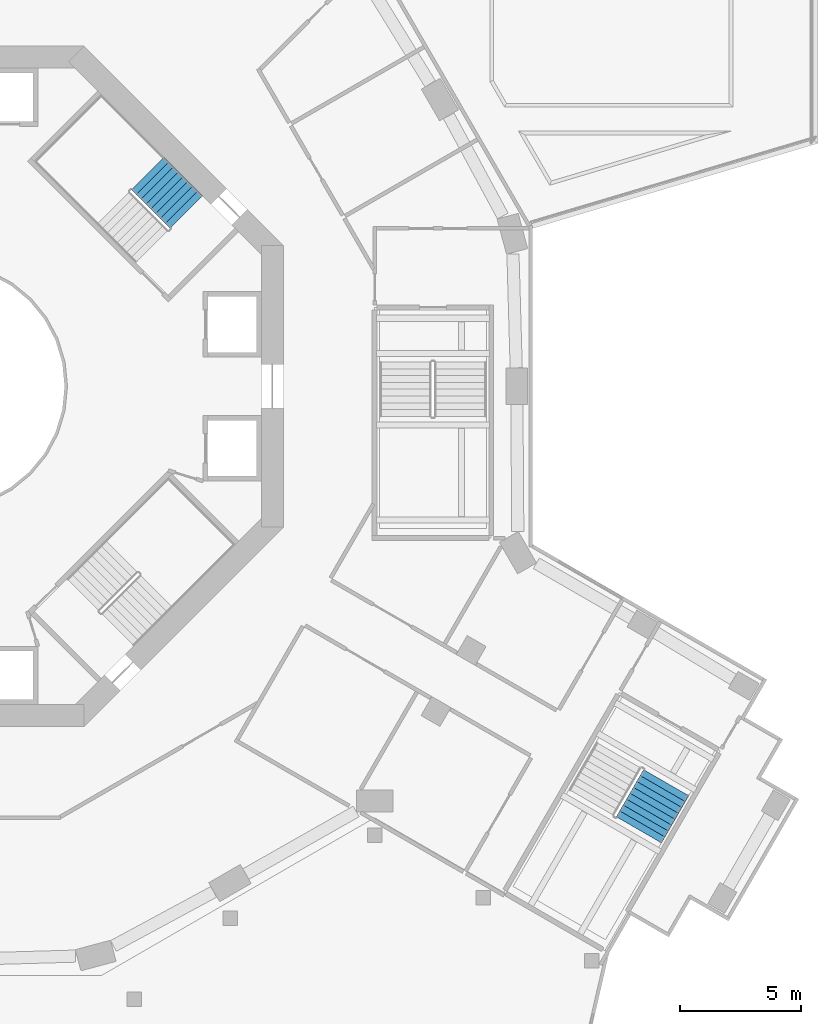
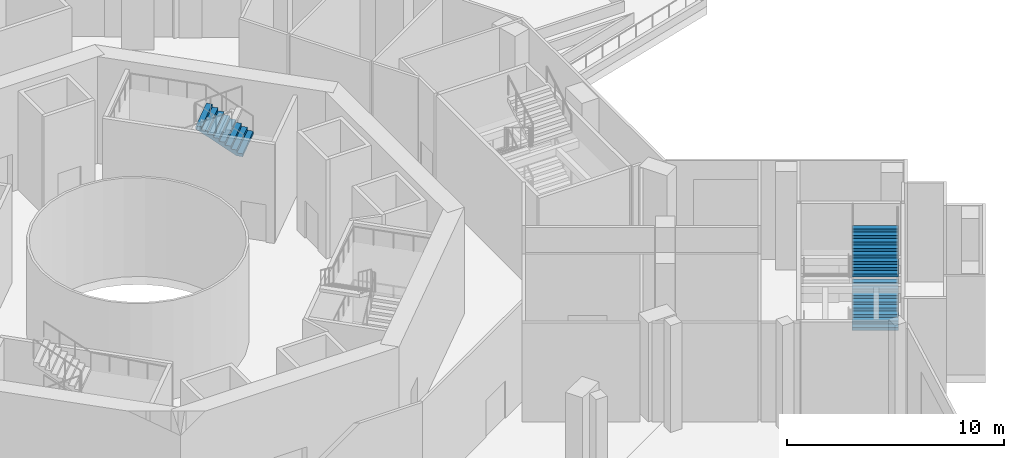
# One storey, part 18 of 29: 3 stair flights, 2 elements without a shape of their own.
"""IFC4 building model written with IfcOpenShell, lengths in metres."""

from ifc_helpers import new_model, si_unit, direction, frame, origin, place, context, subcontext, project, spatial, triangles, material, type_object, element, aggregate, save


model = new_model("IFC4")

# Units and contexts
model_context = context("Model", 3, precision=1e-05, world=origin(), true_north=direction((0.0, 1.0)))
body_context = subcontext(model_context, "Body", "Model", "MODEL_VIEW")
ifc_project = project(units=[si_unit("LENGTHUNIT", "METRE"), si_unit("AREAUNIT", "SQUARE_METRE"), si_unit("VOLUMEUNIT", "CUBIC_METRE"), si_unit("PLANEANGLEUNIT", "RADIAN"), si_unit("MASSUNIT", "GRAM", prefix="KILO")], contexts=[model_context])

# Site, building, storey
site_placement = place(None, origin())
site = spatial("IfcSite", under=ifc_project, at=site_placement, CompositionType="ELEMENT")
building_placement = place(site_placement, origin())
building = spatial("IfcBuilding", under=site, at=building_placement, Name="Verdalira Terraces Hotel", CompositionType="ELEMENT")
storey_placement = place(building_placement, frame((0.0, 0.0, 8.0)))
storey = spatial("IfcBuildingStorey", under=building, at=storey_placement, Name="L01", CompositionType="ELEMENT", Elevation=8.0)

# Stair, stair flight
ifc_material_1 = material(Name="Concrete C40", Category="concrete")
stair_type_1 = type_object("IfcStairType", Name="Core stair 36 risers 1900 mm wide", PredefinedType="HALF_TURN_STAIR", material=ifc_material_1)
stair_1_placement = place(storey_placement, origin())
stair_1 = element("IfcStair", 1, at=stair_1_placement, inside=storey, type_object=stair_type_1, Name="L01 Exit stair ST1", PredefinedType="HALF_TURN_STAIR")
ifc_material_2 = material(Name="Concrete C40", Category="concrete")
stair_flight_type_1 = type_object("IfcStairFlightType", Name="Core stair flight 36 risers 1900 mm wide", PredefinedType="STRAIGHT", material=ifc_material_2)
stair_flight_1_placement = place(storey_placement, frame((10.005615, 7.177246, 3.0), z_axis=(0.0, 0.0, 1.0), x_axis=(-0.707106781, 0.707106781, 0.0)))
stair_flight_1 = element("IfcStairFlight", 2, at=stair_flight_1_placement, type_object=stair_flight_type_1, Name="ST1 flight 3", NumberOfRisers=9, NumberOfTreads=8, PredefinedType="STRAIGHT", RiserHeight=0.166666667, TreadLength=0.28, context=body_context, shape_type="Tessellation", body=[
    triangles([(0.0, 0.949951, 0.0), (0.292969, 0.949951, 0.0), (2.23999, 0.949951, 1.158936), (0.0, -0.949951, 0.0), (0.292969, -0.949951, 0.0), (2.23999, -0.949951, 1.158936), (2.23999, 0.949951, 1.333252), (1.959961, 0.949951, 1.333252), (2.23999, -0.949951, 1.333252), (1.959961, -0.949951, 1.333252), (1.959961, 0.949951, 1.166748), (1.959961, -0.949951, 1.166748), (1.679932, 0.949951, 1.166748), (1.679932, -0.949951, 1.166748), (1.679932, 0.949951, 1.0), (1.679932, -0.949951, 1.0), (1.399902, 0.949951, 1.0), (1.399902, 0.949951, 0.833252), (1.399902, -0.949951, 1.0), (1.399902, -0.949951, 0.833252), (1.120117, 0.949951, 0.833252), (1.120117, 0.949951, 0.666748), (1.120117, -0.949951, 0.833252), (1.120117, -0.949951, 0.666748), (0.840088, 0.949951, 0.666748), (0.840088, 0.949951, 0.5), (0.840088, -0.949951, 0.666748), (0.840088, -0.949951, 0.5), (0.560059, 0.949951, 0.5), (0.560059, 0.949951, 0.333252), (0.560059, -0.949951, 0.5), (0.560059, -0.949951, 0.333252), (0.280029, 0.949951, 0.333252), (0.280029, 0.949951, 0.166748), (0.280029, -0.949951, 0.333252), (0.280029, -0.949951, 0.166748), (0.0, 0.949951, 0.166748), (0.0, -0.949951, 0.166748), (0.0, -0.890579, 0.0), (0.0, -0.890579, 0.166748), (0.0, -0.831207, 0.0), (0.0, -0.831207, 0.166748), (0.0, -0.771835, 0.0), (0.0, -0.771835, 0.166748), (0.0, -0.712463, 0.0), (0.0, -0.712463, 0.166748), (0.0, -0.653091, 0.0), (0.0, -0.653091, 0.166748), (0.0, -0.593719, 0.0), (0.0, -0.593719, 0.166748), (0.0, -0.534348, 0.0), (0.0, -0.534348, 0.166748), (0.0, -0.474976, 0.0), (0.0, -0.474976, 0.166748), (0.0, -0.415604, 0.0), (0.0, -0.415604, 0.166748), (0.0, -0.356232, 0.0), (0.0, -0.356232, 0.166748), (0.0, -0.29686, 0.0), (0.0, -0.29686, 0.166748), (0.0, -0.237488, 0.0), (0.0, -0.237488, 0.166748), (0.0, -0.178116, 0.0), (0.0, -0.178116, 0.166748), (0.0, -0.118744, 0.0), (0.0, -0.118744, 0.166748), (0.0, -0.059372, 0.0), (0.0, -0.059372, 0.166748), (0.0, 0.0, 0.0), (0.0, 0.0, 0.166748), (0.0, 0.059372, 0.0), (0.0, 0.059372, 0.166748), (0.0, 0.118744, 0.0), (0.0, 0.118744, 0.166748), (0.0, 0.178116, 0.0), (0.0, 0.178116, 0.166748), (0.0, 0.237488, 0.0), (0.0, 0.237488, 0.166748), (0.0, 0.29686, 0.0), (0.0, 0.29686, 0.166748), (0.0, 0.356232, 0.0), (0.0, 0.356232, 0.166748), (0.0, 0.415604, 0.0), (0.0, 0.415604, 0.166748), (0.0, 0.474976, 0.0), (0.0, 0.474976, 0.166748), (0.0, 0.534348, 0.0), (0.0, 0.534348, 0.166748), (0.0, 0.593719, 0.0), (0.0, 0.593719, 0.166748), (0.0, 0.653091, 0.0), (0.0, 0.653091, 0.166748), (0.0, 0.712463, 0.0), (0.0, 0.712463, 0.166748), (0.0, 0.771835, 0.0), (0.0, 0.771835, 0.166748), (0.0, 0.831207, 0.0), (0.0, 0.831207, 0.166748), (0.0, 0.890579, 0.0), (0.0, 0.890579, 0.166748), (2.23999, -0.890579, 1.333252), (2.23999, -0.831207, 1.333252), (2.23999, -0.771835, 1.333252), (2.23999, -0.712463, 1.333252), (2.23999, -0.653091, 1.333252), (2.23999, -0.593719, 1.333252), (2.23999, -0.534348, 1.333252), (2.23999, -0.474976, 1.333252), (2.23999, -0.415604, 1.333252), (2.23999, -0.356232, 1.333252), (2.23999, -0.29686, 1.333252), (2.23999, -0.237488, 1.333252), (2.23999, -0.178116, 1.333252), (2.23999, -0.118744, 1.333252), (2.23999, -0.059372, 1.333252), (2.23999, 0.0, 1.333252), (2.23999, 0.059372, 1.333252), (2.23999, 0.118744, 1.333252), (2.23999, 0.178116, 1.333252), (2.23999, 0.237488, 1.333252), (2.23999, 0.29686, 1.333252), (2.23999, 0.356232, 1.333252), (2.23999, 0.415604, 1.333252), (2.23999, 0.474976, 1.333252), (2.23999, 0.534348, 1.333252), (2.23999, 0.593719, 1.333252), (2.23999, 0.653091, 1.333252), (2.23999, 0.712463, 1.333252), (2.23999, 0.771835, 1.333252), (2.23999, 0.831207, 1.333252), (2.23999, 0.890579, 1.333252), (2.23999, -0.890579, 1.158936), (2.23999, -0.831207, 1.158936), (2.23999, -0.771835, 1.158936), (2.23999, -0.712463, 1.158936), (2.23999, -0.653091, 1.158936), (2.23999, -0.593719, 1.158936), (2.23999, -0.534348, 1.158936), (2.23999, -0.474976, 1.158936), (2.23999, -0.415604, 1.158936), (2.23999, -0.356232, 1.158936), (2.23999, -0.29686, 1.158936), (2.23999, -0.237488, 1.158936), (2.23999, -0.178116, 1.158936), (2.23999, -0.118744, 1.158936), (2.23999, -0.059372, 1.158936), (2.23999, 0.0, 1.158936), (2.23999, 0.059372, 1.158936), (2.23999, 0.118744, 1.158936), (2.23999, 0.178116, 1.158936), (2.23999, 0.237488, 1.158936), (2.23999, 0.29686, 1.158936), (2.23999, 0.356232, 1.158936), (2.23999, 0.415604, 1.158936), (2.23999, 0.474976, 1.158936), (2.23999, 0.534348, 1.158936), (2.23999, 0.593719, 1.158936), (2.23999, 0.653091, 1.158936), (2.23999, 0.712463, 1.158936), (2.23999, 0.771835, 1.158936), (2.23999, 0.831207, 1.158936), (2.23999, 0.890579, 1.158936)], [[1, 3, 2], [4, 5, 6], [3, 8, 7], [6, 9, 10], [3, 11, 8], [6, 10, 12], [3, 13, 11], [6, 12, 14], [3, 15, 13], [6, 14, 16], [15, 18, 17], [16, 19, 20], [3, 18, 15], [6, 16, 20], [18, 22, 21], [20, 23, 24], [3, 22, 18], [6, 20, 24], [22, 26, 25], [24, 27, 28], [3, 26, 22], [6, 24, 28], [26, 30, 29], [28, 31, 32], [3, 30, 26], [6, 28, 32], [1, 30, 3], [4, 6, 32], [30, 34, 33], [32, 35, 36], [1, 34, 30], [4, 32, 36], [34, 1, 37], [36, 38, 4], [4, 40, 39], [4, 38, 40], [39, 42, 41], [39, 40, 42], [41, 44, 43], [41, 42, 44], [43, 46, 45], [43, 44, 46], [45, 48, 47], [45, 46, 48], [47, 50, 49], [47, 48, 50], [49, 52, 51], [49, 50, 52], [51, 54, 53], [51, 52, 54], [53, 56, 55], [53, 54, 56], [55, 58, 57], [55, 56, 58], [57, 60, 59], [57, 58, 60], [59, 62, 61], [59, 60, 62], [61, 64, 63], [61, 62, 64], [63, 66, 65], [63, 64, 66], [65, 68, 67], [65, 66, 68], [67, 70, 69], [67, 68, 70], [69, 72, 71], [69, 70, 72], [71, 74, 73], [71, 72, 74], [73, 76, 75], [73, 74, 76], [75, 78, 77], [75, 76, 78], [77, 80, 79], [77, 78, 80], [79, 82, 81], [79, 80, 82], [81, 84, 83], [81, 82, 84], [83, 86, 85], [83, 84, 86], [85, 88, 87], [85, 86, 88], [87, 90, 89], [87, 88, 90], [89, 92, 91], [89, 90, 92], [91, 94, 93], [91, 92, 94], [93, 96, 95], [93, 94, 96], [95, 98, 97], [95, 96, 98], [97, 100, 99], [97, 98, 100], [99, 37, 1], [99, 100, 37], [38, 36, 40], [40, 36, 42], [42, 36, 44], [44, 36, 46], [46, 36, 48], [48, 36, 50], [50, 36, 52], [52, 36, 54], [54, 36, 56], [56, 36, 58], [58, 36, 60], [60, 36, 62], [62, 36, 64], [64, 36, 66], [66, 36, 68], [68, 36, 70], [70, 36, 72], [72, 36, 74], [74, 36, 76], [76, 36, 78], [78, 36, 80], [80, 36, 82], [82, 36, 84], [84, 36, 86], [86, 36, 88], [88, 36, 90], [90, 36, 92], [92, 36, 94], [94, 36, 96], [96, 36, 98], [98, 36, 100], [100, 36, 37], [37, 36, 34], [36, 33, 34], [36, 35, 33], [35, 30, 33], [35, 32, 30], [32, 29, 30], [32, 31, 29], [31, 26, 29], [31, 28, 26], [28, 25, 26], [28, 27, 25], [27, 22, 25], [27, 24, 22], [24, 21, 22], [24, 23, 21], [23, 18, 21], [23, 20, 18], [20, 17, 18], [20, 19, 17], [19, 15, 17], [19, 16, 15], [16, 13, 15], [16, 14, 13], [14, 11, 13], [14, 12, 11], [12, 8, 11], [12, 10, 8], [9, 101, 10], [101, 102, 10], [102, 103, 10], [103, 104, 10], [104, 105, 10], [105, 106, 10], [106, 107, 10], [107, 108, 10], [108, 109, 10], [109, 110, 10], [110, 111, 10], [111, 112, 10], [112, 113, 10], [113, 114, 10], [114, 115, 10], [115, 116, 10], [116, 117, 10], [117, 118, 10], [118, 119, 10], [119, 120, 10], [120, 121, 10], [121, 122, 10], [122, 123, 10], [123, 124, 10], [124, 125, 10], [125, 126, 10], [126, 127, 10], [127, 128, 10], [128, 129, 10], [129, 130, 10], [130, 131, 10], [131, 7, 10], [7, 8, 10], [9, 132, 101], [9, 6, 132], [101, 133, 102], [101, 132, 133], [102, 134, 103], [102, 133, 134], [103, 135, 104], [103, 134, 135], [104, 136, 105], [104, 135, 136], [105, 137, 106], [105, 136, 137], [106, 138, 107], [106, 137, 138], [107, 139, 108], [107, 138, 139], [108, 140, 109], [108, 139, 140], [109, 141, 110], [109, 140, 141], [110, 142, 111], [110, 141, 142], [111, 143, 112], [111, 142, 143], [112, 144, 113], [112, 143, 144], [113, 145, 114], [113, 144, 145], [114, 146, 115], [114, 145, 146], [115, 147, 116], [115, 146, 147], [116, 148, 117], [116, 147, 148], [117, 149, 118], [117, 148, 149], [118, 150, 119], [118, 149, 150], [119, 151, 120], [119, 150, 151], [120, 152, 121], [120, 151, 152], [121, 153, 122], [121, 152, 153], [122, 154, 123], [122, 153, 154], [123, 155, 124], [123, 154, 155], [124, 156, 125], [124, 155, 156], [125, 157, 126], [125, 156, 157], [126, 158, 127], [126, 157, 158], [127, 159, 128], [127, 158, 159], [128, 160, 129], [128, 159, 160], [129, 161, 130], [129, 160, 161], [130, 162, 131], [130, 161, 162], [131, 3, 7], [131, 162, 3], [6, 5, 132], [132, 5, 133], [133, 5, 134], [134, 5, 135], [135, 5, 136], [136, 5, 137], [137, 5, 138], [138, 5, 139], [139, 5, 140], [140, 5, 141], [141, 5, 142], [142, 5, 143], [143, 5, 144], [144, 5, 145], [145, 5, 146], [146, 5, 147], [147, 5, 148], [148, 5, 149], [149, 5, 150], [150, 5, 151], [151, 5, 152], [152, 5, 153], [153, 5, 154], [154, 5, 155], [155, 5, 156], [156, 5, 157], [157, 5, 158], [158, 5, 159], [159, 5, 160], [160, 5, 161], [161, 5, 162], [162, 5, 3], [3, 5, 2], [4, 39, 5], [39, 41, 5], [41, 43, 5], [43, 45, 5], [45, 47, 5], [47, 49, 5], [49, 51, 5], [51, 53, 5], [53, 55, 5], [55, 57, 5], [57, 59, 5], [59, 61, 5], [61, 63, 5], [63, 65, 5], [65, 67, 5], [67, 69, 5], [69, 71, 5], [71, 73, 5], [73, 75, 5], [75, 77, 5], [77, 79, 5], [79, 81, 5], [81, 83, 5], [83, 85, 5], [85, 87, 5], [87, 89, 5], [89, 91, 5], [91, 93, 5], [93, 95, 5], [95, 97, 5], [97, 99, 5], [99, 1, 5], [1, 2, 5]], closed=True),
])
aggregate(stair_1, [stair_flight_1])

# Stair, stair flights
ifc_material_3 = material(Name="Concrete C40", Category="concrete")
stair_type_2 = type_object("IfcStairType", Name="Podium stair 36 risers", PredefinedType="HALF_TURN_STAIR", material=ifc_material_3)
stair_2_placement = place(storey_placement, origin())
stair_2 = element("IfcStair", 3, at=stair_2_placement, inside=storey, type_object=stair_type_2, Name="L01 Exit stair PS3", PredefinedType="HALF_TURN_STAIR")
ifc_material_4 = material(Name="Concrete C40", Category="concrete")
stair_flight_type_2 = type_object("IfcStairFlightType", Name="Podium stair flight 36 risers", PredefinedType="STRAIGHT", material=ifc_material_4)
stair_flight_2_placement = place(storey_placement, frame((28.63501, -18.25293, 1.5), z_axis=(0.0, 0.0, 1.0), x_axis=(0.5, 0.866025404, 0.0)))
stair_flight_2 = element("IfcStairFlight", 4, at=stair_flight_2_placement, type_object=stair_flight_type_2, Name="PS3 flight 2", NumberOfRisers=9, NumberOfTreads=8, PredefinedType="STRAIGHT", RiserHeight=0.166666667, TreadLength=0.28, context=body_context, shape_type="Tessellation", body=[
    triangles([(0.0, 1.074951, 0.0), (0.292969, 1.074951, 0.0), (2.23999, 1.074951, 1.158936), (0.0, -1.074951, 0.0), (0.292969, -1.074951, 0.0), (2.23999, -1.074951, 1.158936), (2.23999, 1.074951, 1.333252), (1.959961, 1.074951, 1.333252), (2.23999, -1.074951, 1.333252), (1.959961, -1.074951, 1.333252), (1.959961, 1.074951, 1.166748), (1.959961, -1.074951, 1.166748), (1.679932, 1.074951, 1.166748), (1.679932, -1.074951, 1.166748), (1.679932, 1.074951, 1.0), (1.679932, -1.074951, 1.0), (1.399902, 1.074951, 1.0), (1.399902, 1.074951, 0.833252), (1.399902, -1.074951, 1.0), (1.399902, -1.074951, 0.833252), (1.120117, 1.074951, 0.833252), (1.120117, 1.074951, 0.666748), (1.120117, -1.074951, 0.833252), (1.120117, -1.074951, 0.666748), (0.840088, 1.074951, 0.666748), (0.840088, 1.074951, 0.5), (0.840088, -1.074951, 0.666748), (0.840088, -1.074951, 0.5), (0.560059, 1.074951, 0.5), (0.560059, 1.074951, 0.333252), (0.560059, -1.074951, 0.5), (0.560059, -1.074951, 0.333252), (0.280029, 1.074951, 0.333252), (0.280029, 1.074951, 0.166748), (0.280029, -1.074951, 0.333252), (0.280029, -1.074951, 0.166748), (0.0, 1.074951, 0.166748), (0.0, -1.074951, 0.166748), (0.0, -1.007767, 0.0), (0.0, -1.007767, 0.166748), (0.0, -0.940582, 0.0), (0.0, -0.940582, 0.166748), (0.0, -0.873398, 0.0), (0.0, -0.873398, 0.166748), (0.0, -0.806213, 0.0), (0.0, -0.806213, 0.166748), (0.0, -0.739029, 0.0), (0.0, -0.739029, 0.166748), (0.0, -0.671844, 0.0), (0.0, -0.671844, 0.166748), (0.0, -0.60466, 0.0), (0.0, -0.60466, 0.166748), (0.0, -0.537476, 0.0), (0.0, -0.537476, 0.166748), (0.0, -0.470291, 0.0), (0.0, -0.470291, 0.166748), (0.0, -0.403107, 0.0), (0.0, -0.403107, 0.166748), (0.0, -0.335922, 0.0), (0.0, -0.335922, 0.166748), (0.0, -0.268738, 0.0), (0.0, -0.268738, 0.166748), (0.0, -0.201553, 0.0), (0.0, -0.201553, 0.166748), (0.0, -0.134369, 0.0), (0.0, -0.134369, 0.166748), (0.0, -0.067184, 0.0), (0.0, -0.067184, 0.166748), (0.0, 0.0, 0.0), (0.0, 0.0, 0.166748), (0.0, 0.067184, 0.0), (0.0, 0.067184, 0.166748), (0.0, 0.134369, 0.0), (0.0, 0.134369, 0.166748), (0.0, 0.201553, 0.0), (0.0, 0.201553, 0.166748), (0.0, 0.268738, 0.0), (0.0, 0.268738, 0.166748), (0.0, 0.335922, 0.0), (0.0, 0.335922, 0.166748), (0.0, 0.403107, 0.0), (0.0, 0.403107, 0.166748), (0.0, 0.470291, 0.0), (0.0, 0.470291, 0.166748), (0.0, 0.537476, 0.0), (0.0, 0.537476, 0.166748), (0.0, 0.60466, 0.0), (0.0, 0.60466, 0.166748), (0.0, 0.671844, 0.0), (0.0, 0.671844, 0.166748), (0.0, 0.739029, 0.0), (0.0, 0.739029, 0.166748), (0.0, 0.806213, 0.0), (0.0, 0.806213, 0.166748), (0.0, 0.873398, 0.0), (0.0, 0.873398, 0.166748), (0.0, 0.940582, 0.0), (0.0, 0.940582, 0.166748), (0.0, 1.007767, 0.0), (0.0, 1.007767, 0.166748), (2.23999, -1.007767, 1.333252), (2.23999, -0.940582, 1.333252), (2.23999, -0.873398, 1.333252), (2.23999, -0.806213, 1.333252), (2.23999, -0.739029, 1.333252), (2.23999, -0.671844, 1.333252), (2.23999, -0.60466, 1.333252), (2.23999, -0.537476, 1.333252), (2.23999, -0.470291, 1.333252), (2.23999, -0.403107, 1.333252), (2.23999, -0.335922, 1.333252), (2.23999, -0.268738, 1.333252), (2.23999, -0.201553, 1.333252), (2.23999, -0.134369, 1.333252), (2.23999, -0.067184, 1.333252), (2.23999, 0.0, 1.333252), (2.23999, 0.067184, 1.333252), (2.23999, 0.134369, 1.333252), (2.23999, 0.201553, 1.333252), (2.23999, 0.268738, 1.333252), (2.23999, 0.335922, 1.333252), (2.23999, 0.403107, 1.333252), (2.23999, 0.470291, 1.333252), (2.23999, 0.537476, 1.333252), (2.23999, 0.60466, 1.333252), (2.23999, 0.671844, 1.333252), (2.23999, 0.739029, 1.333252), (2.23999, 0.806213, 1.333252), (2.23999, 0.873398, 1.333252), (2.23999, 0.940582, 1.333252), (2.23999, 1.007767, 1.333252), (2.23999, -1.007767, 1.158936), (2.23999, -0.940582, 1.158936), (2.23999, -0.873398, 1.158936), (2.23999, -0.806213, 1.158936), (2.23999, -0.739029, 1.158936), (2.23999, -0.671844, 1.158936), (2.23999, -0.60466, 1.158936), (2.23999, -0.537476, 1.158936), (2.23999, -0.470291, 1.158936), (2.23999, -0.403107, 1.158936), (2.23999, -0.335922, 1.158936), (2.23999, -0.268738, 1.158936), (2.23999, -0.201553, 1.158936), (2.23999, -0.134369, 1.158936), (2.23999, -0.067184, 1.158936), (2.23999, 0.0, 1.158936), (2.23999, 0.067184, 1.158936), (2.23999, 0.134369, 1.158936), (2.23999, 0.201553, 1.158936), (2.23999, 0.268738, 1.158936), (2.23999, 0.335922, 1.158936), (2.23999, 0.403107, 1.158936), (2.23999, 0.470291, 1.158936), (2.23999, 0.537476, 1.158936), (2.23999, 0.60466, 1.158936), (2.23999, 0.671844, 1.158936), (2.23999, 0.739029, 1.158936), (2.23999, 0.806213, 1.158936), (2.23999, 0.873398, 1.158936), (2.23999, 0.940582, 1.158936), (2.23999, 1.007767, 1.158936)], [[1, 3, 2], [4, 5, 6], [3, 8, 7], [6, 9, 10], [3, 11, 8], [6, 10, 12], [3, 13, 11], [6, 12, 14], [3, 15, 13], [6, 14, 16], [15, 18, 17], [16, 19, 20], [3, 18, 15], [6, 16, 20], [18, 22, 21], [20, 23, 24], [3, 22, 18], [6, 20, 24], [22, 26, 25], [24, 27, 28], [3, 26, 22], [6, 24, 28], [26, 30, 29], [28, 31, 32], [3, 30, 26], [6, 28, 32], [1, 30, 3], [4, 6, 32], [30, 34, 33], [32, 35, 36], [1, 34, 30], [4, 32, 36], [34, 1, 37], [36, 38, 4], [4, 40, 39], [4, 38, 40], [39, 42, 41], [39, 40, 42], [41, 44, 43], [41, 42, 44], [43, 46, 45], [43, 44, 46], [45, 48, 47], [45, 46, 48], [47, 50, 49], [47, 48, 50], [49, 52, 51], [49, 50, 52], [51, 54, 53], [51, 52, 54], [53, 56, 55], [53, 54, 56], [55, 58, 57], [55, 56, 58], [57, 60, 59], [57, 58, 60], [59, 62, 61], [59, 60, 62], [61, 64, 63], [61, 62, 64], [63, 66, 65], [63, 64, 66], [65, 68, 67], [65, 66, 68], [67, 70, 69], [67, 68, 70], [69, 72, 71], [69, 70, 72], [71, 74, 73], [71, 72, 74], [73, 76, 75], [73, 74, 76], [75, 78, 77], [75, 76, 78], [77, 80, 79], [77, 78, 80], [79, 82, 81], [79, 80, 82], [81, 84, 83], [81, 82, 84], [83, 86, 85], [83, 84, 86], [85, 88, 87], [85, 86, 88], [87, 90, 89], [87, 88, 90], [89, 92, 91], [89, 90, 92], [91, 94, 93], [91, 92, 94], [93, 96, 95], [93, 94, 96], [95, 98, 97], [95, 96, 98], [97, 100, 99], [97, 98, 100], [99, 37, 1], [99, 100, 37], [38, 36, 40], [40, 36, 42], [42, 36, 44], [44, 36, 46], [46, 36, 48], [48, 36, 50], [50, 36, 52], [52, 36, 54], [54, 36, 56], [56, 36, 58], [58, 36, 60], [60, 36, 62], [62, 36, 64], [64, 36, 66], [66, 36, 68], [68, 36, 70], [70, 36, 72], [72, 36, 74], [74, 36, 76], [76, 36, 78], [78, 36, 80], [80, 36, 82], [82, 36, 84], [84, 36, 86], [86, 36, 88], [88, 36, 90], [90, 36, 92], [92, 36, 94], [94, 36, 96], [96, 36, 98], [98, 36, 100], [100, 36, 37], [37, 36, 34], [36, 33, 34], [36, 35, 33], [35, 30, 33], [35, 32, 30], [32, 29, 30], [32, 31, 29], [31, 26, 29], [31, 28, 26], [28, 25, 26], [28, 27, 25], [27, 22, 25], [27, 24, 22], [24, 21, 22], [24, 23, 21], [23, 18, 21], [23, 20, 18], [20, 17, 18], [20, 19, 17], [19, 15, 17], [19, 16, 15], [16, 13, 15], [16, 14, 13], [14, 11, 13], [14, 12, 11], [12, 8, 11], [12, 10, 8], [9, 101, 10], [101, 102, 10], [102, 103, 10], [103, 104, 10], [104, 105, 10], [105, 106, 10], [106, 107, 10], [107, 108, 10], [108, 109, 10], [109, 110, 10], [110, 111, 10], [111, 112, 10], [112, 113, 10], [113, 114, 10], [114, 115, 10], [115, 116, 10], [116, 117, 10], [117, 118, 10], [118, 119, 10], [119, 120, 10], [120, 121, 10], [121, 122, 10], [122, 123, 10], [123, 124, 10], [124, 125, 10], [125, 126, 10], [126, 127, 10], [127, 128, 10], [128, 129, 10], [129, 130, 10], [130, 131, 10], [131, 7, 10], [7, 8, 10], [9, 132, 101], [9, 6, 132], [101, 133, 102], [101, 132, 133], [102, 134, 103], [102, 133, 134], [103, 135, 104], [103, 134, 135], [104, 136, 105], [104, 135, 136], [105, 137, 106], [105, 136, 137], [106, 138, 107], [106, 137, 138], [107, 139, 108], [107, 138, 139], [108, 140, 109], [108, 139, 140], [109, 141, 110], [109, 140, 141], [110, 142, 111], [110, 141, 142], [111, 143, 112], [111, 142, 143], [112, 144, 113], [112, 143, 144], [113, 145, 114], [113, 144, 145], [114, 146, 115], [114, 145, 146], [115, 147, 116], [115, 146, 147], [116, 148, 117], [116, 147, 148], [117, 149, 118], [117, 148, 149], [118, 150, 119], [118, 149, 150], [119, 151, 120], [119, 150, 151], [120, 152, 121], [120, 151, 152], [121, 153, 122], [121, 152, 153], [122, 154, 123], [122, 153, 154], [123, 155, 124], [123, 154, 155], [124, 156, 125], [124, 155, 156], [125, 157, 126], [125, 156, 157], [126, 158, 127], [126, 157, 158], [127, 159, 128], [127, 158, 159], [128, 160, 129], [128, 159, 160], [129, 161, 130], [129, 160, 161], [130, 162, 131], [130, 161, 162], [131, 3, 7], [131, 162, 3], [6, 5, 132], [132, 5, 133], [133, 5, 134], [134, 5, 135], [135, 5, 136], [136, 5, 137], [137, 5, 138], [138, 5, 139], [139, 5, 140], [140, 5, 141], [141, 5, 142], [142, 5, 143], [143, 5, 144], [144, 5, 145], [145, 5, 146], [146, 5, 147], [147, 5, 148], [148, 5, 149], [149, 5, 150], [150, 5, 151], [151, 5, 152], [152, 5, 153], [153, 5, 154], [154, 5, 155], [155, 5, 156], [156, 5, 157], [157, 5, 158], [158, 5, 159], [159, 5, 160], [160, 5, 161], [161, 5, 162], [162, 5, 3], [3, 5, 2], [4, 39, 5], [39, 41, 5], [41, 43, 5], [43, 45, 5], [45, 47, 5], [47, 49, 5], [49, 51, 5], [51, 53, 5], [53, 55, 5], [55, 57, 5], [57, 59, 5], [59, 61, 5], [61, 63, 5], [63, 65, 5], [65, 67, 5], [67, 69, 5], [69, 71, 5], [71, 73, 5], [73, 75, 5], [75, 77, 5], [77, 79, 5], [79, 81, 5], [81, 83, 5], [83, 85, 5], [85, 87, 5], [87, 89, 5], [89, 91, 5], [91, 93, 5], [93, 95, 5], [95, 97, 5], [97, 99, 5], [99, 1, 5], [1, 2, 5]], closed=True),
])
stair_flight_3_placement = place(storey_placement, frame((28.63501, -18.25293, 4.5), z_axis=(0.0, 0.0, 1.0), x_axis=(0.5, 0.866025404, 0.0)))
stair_flight_3 = element("IfcStairFlight", 5, at=stair_flight_3_placement, type_object=stair_flight_type_2, Name="PS3 flight 4", NumberOfRisers=9, NumberOfTreads=8, PredefinedType="STRAIGHT", RiserHeight=0.166666667, TreadLength=0.28, context=body_context, shape_type="Tessellation", body=[
    triangles([(0.0, 1.074951, 0.0), (0.292969, 1.074951, 0.0), (2.23999, 1.074951, 1.158936), (0.0, -1.074951, 0.0), (0.292969, -1.074951, 0.0), (2.23999, -1.074951, 1.158936), (2.23999, 1.074951, 1.333252), (1.959961, 1.074951, 1.333252), (2.23999, -1.074951, 1.333252), (1.959961, -1.074951, 1.333252), (1.959961, 1.074951, 1.166748), (1.959961, -1.074951, 1.166748), (1.679932, 1.074951, 1.166748), (1.679932, -1.074951, 1.166748), (1.679932, 1.074951, 1.0), (1.679932, -1.074951, 1.0), (1.399902, 1.074951, 1.0), (1.399902, 1.074951, 0.833252), (1.399902, -1.074951, 1.0), (1.399902, -1.074951, 0.833252), (1.120117, 1.074951, 0.833252), (1.120117, 1.074951, 0.666748), (1.120117, -1.074951, 0.833252), (1.120117, -1.074951, 0.666748), (0.840088, 1.074951, 0.666748), (0.840088, 1.074951, 0.5), (0.840088, -1.074951, 0.666748), (0.840088, -1.074951, 0.5), (0.560059, 1.074951, 0.5), (0.560059, 1.074951, 0.333252), (0.560059, -1.074951, 0.5), (0.560059, -1.074951, 0.333252), (0.280029, 1.074951, 0.333252), (0.280029, 1.074951, 0.166748), (0.280029, -1.074951, 0.333252), (0.280029, -1.074951, 0.166748), (0.0, 1.074951, 0.166748), (0.0, -1.074951, 0.166748), (0.0, -1.007767, 0.0), (0.0, -1.007767, 0.166748), (0.0, -0.940582, 0.0), (0.0, -0.940582, 0.166748), (0.0, -0.873398, 0.0), (0.0, -0.873398, 0.166748), (0.0, -0.806213, 0.0), (0.0, -0.806213, 0.166748), (0.0, -0.739029, 0.0), (0.0, -0.739029, 0.166748), (0.0, -0.671844, 0.0), (0.0, -0.671844, 0.166748), (0.0, -0.60466, 0.0), (0.0, -0.60466, 0.166748), (0.0, -0.537476, 0.0), (0.0, -0.537476, 0.166748), (0.0, -0.470291, 0.0), (0.0, -0.470291, 0.166748), (0.0, -0.403107, 0.0), (0.0, -0.403107, 0.166748), (0.0, -0.335922, 0.0), (0.0, -0.335922, 0.166748), (0.0, -0.268738, 0.0), (0.0, -0.268738, 0.166748), (0.0, -0.201553, 0.0), (0.0, -0.201553, 0.166748), (0.0, -0.134369, 0.0), (0.0, -0.134369, 0.166748), (0.0, -0.067184, 0.0), (0.0, -0.067184, 0.166748), (0.0, 0.0, 0.0), (0.0, 0.0, 0.166748), (0.0, 0.067184, 0.0), (0.0, 0.067184, 0.166748), (0.0, 0.134369, 0.0), (0.0, 0.134369, 0.166748), (0.0, 0.201553, 0.0), (0.0, 0.201553, 0.166748), (0.0, 0.268738, 0.0), (0.0, 0.268738, 0.166748), (0.0, 0.335922, 0.0), (0.0, 0.335922, 0.166748), (0.0, 0.403107, 0.0), (0.0, 0.403107, 0.166748), (0.0, 0.470291, 0.0), (0.0, 0.470291, 0.166748), (0.0, 0.537476, 0.0), (0.0, 0.537476, 0.166748), (0.0, 0.60466, 0.0), (0.0, 0.60466, 0.166748), (0.0, 0.671844, 0.0), (0.0, 0.671844, 0.166748), (0.0, 0.739029, 0.0), (0.0, 0.739029, 0.166748), (0.0, 0.806213, 0.0), (0.0, 0.806213, 0.166748), (0.0, 0.873398, 0.0), (0.0, 0.873398, 0.166748), (0.0, 0.940582, 0.0), (0.0, 0.940582, 0.166748), (0.0, 1.007767, 0.0), (0.0, 1.007767, 0.166748), (2.23999, -1.007767, 1.333252), (2.23999, -0.940582, 1.333252), (2.23999, -0.873398, 1.333252), (2.23999, -0.806213, 1.333252), (2.23999, -0.739029, 1.333252), (2.23999, -0.671844, 1.333252), (2.23999, -0.60466, 1.333252), (2.23999, -0.537476, 1.333252), (2.23999, -0.470291, 1.333252), (2.23999, -0.403107, 1.333252), (2.23999, -0.335922, 1.333252), (2.23999, -0.268738, 1.333252), (2.23999, -0.201553, 1.333252), (2.23999, -0.134369, 1.333252), (2.23999, -0.067184, 1.333252), (2.23999, 0.0, 1.333252), (2.23999, 0.067184, 1.333252), (2.23999, 0.134369, 1.333252), (2.23999, 0.201553, 1.333252), (2.23999, 0.268738, 1.333252), (2.23999, 0.335922, 1.333252), (2.23999, 0.403107, 1.333252), (2.23999, 0.470291, 1.333252), (2.23999, 0.537476, 1.333252), (2.23999, 0.60466, 1.333252), (2.23999, 0.671844, 1.333252), (2.23999, 0.739029, 1.333252), (2.23999, 0.806213, 1.333252), (2.23999, 0.873398, 1.333252), (2.23999, 0.940582, 1.333252), (2.23999, 1.007767, 1.333252), (2.23999, -1.007767, 1.158936), (2.23999, -0.940582, 1.158936), (2.23999, -0.873398, 1.158936), (2.23999, -0.806213, 1.158936), (2.23999, -0.739029, 1.158936), (2.23999, -0.671844, 1.158936), (2.23999, -0.60466, 1.158936), (2.23999, -0.537476, 1.158936), (2.23999, -0.470291, 1.158936), (2.23999, -0.403107, 1.158936), (2.23999, -0.335922, 1.158936), (2.23999, -0.268738, 1.158936), (2.23999, -0.201553, 1.158936), (2.23999, -0.134369, 1.158936), (2.23999, -0.067184, 1.158936), (2.23999, 0.0, 1.158936), (2.23999, 0.067184, 1.158936), (2.23999, 0.134369, 1.158936), (2.23999, 0.201553, 1.158936), (2.23999, 0.268738, 1.158936), (2.23999, 0.335922, 1.158936), (2.23999, 0.403107, 1.158936), (2.23999, 0.470291, 1.158936), (2.23999, 0.537476, 1.158936), (2.23999, 0.60466, 1.158936), (2.23999, 0.671844, 1.158936), (2.23999, 0.739029, 1.158936), (2.23999, 0.806213, 1.158936), (2.23999, 0.873398, 1.158936), (2.23999, 0.940582, 1.158936), (2.23999, 1.007767, 1.158936)], [[1, 3, 2], [4, 5, 6], [3, 8, 7], [6, 9, 10], [3, 11, 8], [6, 10, 12], [3, 13, 11], [6, 12, 14], [3, 15, 13], [6, 14, 16], [15, 18, 17], [16, 19, 20], [3, 18, 15], [6, 16, 20], [18, 22, 21], [20, 23, 24], [3, 22, 18], [6, 20, 24], [22, 26, 25], [24, 27, 28], [3, 26, 22], [6, 24, 28], [26, 30, 29], [28, 31, 32], [3, 30, 26], [6, 28, 32], [1, 30, 3], [4, 6, 32], [30, 34, 33], [32, 35, 36], [1, 34, 30], [4, 32, 36], [34, 1, 37], [36, 38, 4], [4, 40, 39], [4, 38, 40], [39, 42, 41], [39, 40, 42], [41, 44, 43], [41, 42, 44], [43, 46, 45], [43, 44, 46], [45, 48, 47], [45, 46, 48], [47, 50, 49], [47, 48, 50], [49, 52, 51], [49, 50, 52], [51, 54, 53], [51, 52, 54], [53, 56, 55], [53, 54, 56], [55, 58, 57], [55, 56, 58], [57, 60, 59], [57, 58, 60], [59, 62, 61], [59, 60, 62], [61, 64, 63], [61, 62, 64], [63, 66, 65], [63, 64, 66], [65, 68, 67], [65, 66, 68], [67, 70, 69], [67, 68, 70], [69, 72, 71], [69, 70, 72], [71, 74, 73], [71, 72, 74], [73, 76, 75], [73, 74, 76], [75, 78, 77], [75, 76, 78], [77, 80, 79], [77, 78, 80], [79, 82, 81], [79, 80, 82], [81, 84, 83], [81, 82, 84], [83, 86, 85], [83, 84, 86], [85, 88, 87], [85, 86, 88], [87, 90, 89], [87, 88, 90], [89, 92, 91], [89, 90, 92], [91, 94, 93], [91, 92, 94], [93, 96, 95], [93, 94, 96], [95, 98, 97], [95, 96, 98], [97, 100, 99], [97, 98, 100], [99, 37, 1], [99, 100, 37], [38, 36, 40], [40, 36, 42], [42, 36, 44], [44, 36, 46], [46, 36, 48], [48, 36, 50], [50, 36, 52], [52, 36, 54], [54, 36, 56], [56, 36, 58], [58, 36, 60], [60, 36, 62], [62, 36, 64], [64, 36, 66], [66, 36, 68], [68, 36, 70], [70, 36, 72], [72, 36, 74], [74, 36, 76], [76, 36, 78], [78, 36, 80], [80, 36, 82], [82, 36, 84], [84, 36, 86], [86, 36, 88], [88, 36, 90], [90, 36, 92], [92, 36, 94], [94, 36, 96], [96, 36, 98], [98, 36, 100], [100, 36, 37], [37, 36, 34], [36, 33, 34], [36, 35, 33], [35, 30, 33], [35, 32, 30], [32, 29, 30], [32, 31, 29], [31, 26, 29], [31, 28, 26], [28, 25, 26], [28, 27, 25], [27, 22, 25], [27, 24, 22], [24, 21, 22], [24, 23, 21], [23, 18, 21], [23, 20, 18], [20, 17, 18], [20, 19, 17], [19, 15, 17], [19, 16, 15], [16, 13, 15], [16, 14, 13], [14, 11, 13], [14, 12, 11], [12, 8, 11], [12, 10, 8], [9, 101, 10], [101, 102, 10], [102, 103, 10], [103, 104, 10], [104, 105, 10], [105, 106, 10], [106, 107, 10], [107, 108, 10], [108, 109, 10], [109, 110, 10], [110, 111, 10], [111, 112, 10], [112, 113, 10], [113, 114, 10], [114, 115, 10], [115, 116, 10], [116, 117, 10], [117, 118, 10], [118, 119, 10], [119, 120, 10], [120, 121, 10], [121, 122, 10], [122, 123, 10], [123, 124, 10], [124, 125, 10], [125, 126, 10], [126, 127, 10], [127, 128, 10], [128, 129, 10], [129, 130, 10], [130, 131, 10], [131, 7, 10], [7, 8, 10], [9, 132, 101], [9, 6, 132], [101, 133, 102], [101, 132, 133], [102, 134, 103], [102, 133, 134], [103, 135, 104], [103, 134, 135], [104, 136, 105], [104, 135, 136], [105, 137, 106], [105, 136, 137], [106, 138, 107], [106, 137, 138], [107, 139, 108], [107, 138, 139], [108, 140, 109], [108, 139, 140], [109, 141, 110], [109, 140, 141], [110, 142, 111], [110, 141, 142], [111, 143, 112], [111, 142, 143], [112, 144, 113], [112, 143, 144], [113, 145, 114], [113, 144, 145], [114, 146, 115], [114, 145, 146], [115, 147, 116], [115, 146, 147], [116, 148, 117], [116, 147, 148], [117, 149, 118], [117, 148, 149], [118, 150, 119], [118, 149, 150], [119, 151, 120], [119, 150, 151], [120, 152, 121], [120, 151, 152], [121, 153, 122], [121, 152, 153], [122, 154, 123], [122, 153, 154], [123, 155, 124], [123, 154, 155], [124, 156, 125], [124, 155, 156], [125, 157, 126], [125, 156, 157], [126, 158, 127], [126, 157, 158], [127, 159, 128], [127, 158, 159], [128, 160, 129], [128, 159, 160], [129, 161, 130], [129, 160, 161], [130, 162, 131], [130, 161, 162], [131, 3, 7], [131, 162, 3], [6, 5, 132], [132, 5, 133], [133, 5, 134], [134, 5, 135], [135, 5, 136], [136, 5, 137], [137, 5, 138], [138, 5, 139], [139, 5, 140], [140, 5, 141], [141, 5, 142], [142, 5, 143], [143, 5, 144], [144, 5, 145], [145, 5, 146], [146, 5, 147], [147, 5, 148], [148, 5, 149], [149, 5, 150], [150, 5, 151], [151, 5, 152], [152, 5, 153], [153, 5, 154], [154, 5, 155], [155, 5, 156], [156, 5, 157], [157, 5, 158], [158, 5, 159], [159, 5, 160], [160, 5, 161], [161, 5, 162], [162, 5, 3], [3, 5, 2], [4, 39, 5], [39, 41, 5], [41, 43, 5], [43, 45, 5], [45, 47, 5], [47, 49, 5], [49, 51, 5], [51, 53, 5], [53, 55, 5], [55, 57, 5], [57, 59, 5], [59, 61, 5], [61, 63, 5], [63, 65, 5], [65, 67, 5], [67, 69, 5], [69, 71, 5], [71, 73, 5], [73, 75, 5], [75, 77, 5], [77, 79, 5], [79, 81, 5], [81, 83, 5], [83, 85, 5], [85, 87, 5], [87, 89, 5], [89, 91, 5], [91, 93, 5], [93, 95, 5], [95, 97, 5], [97, 99, 5], [99, 1, 5], [1, 2, 5]], closed=True),
])
aggregate(stair_2, [stair_flight_2, stair_flight_3])

save(model, "model.ifc")
